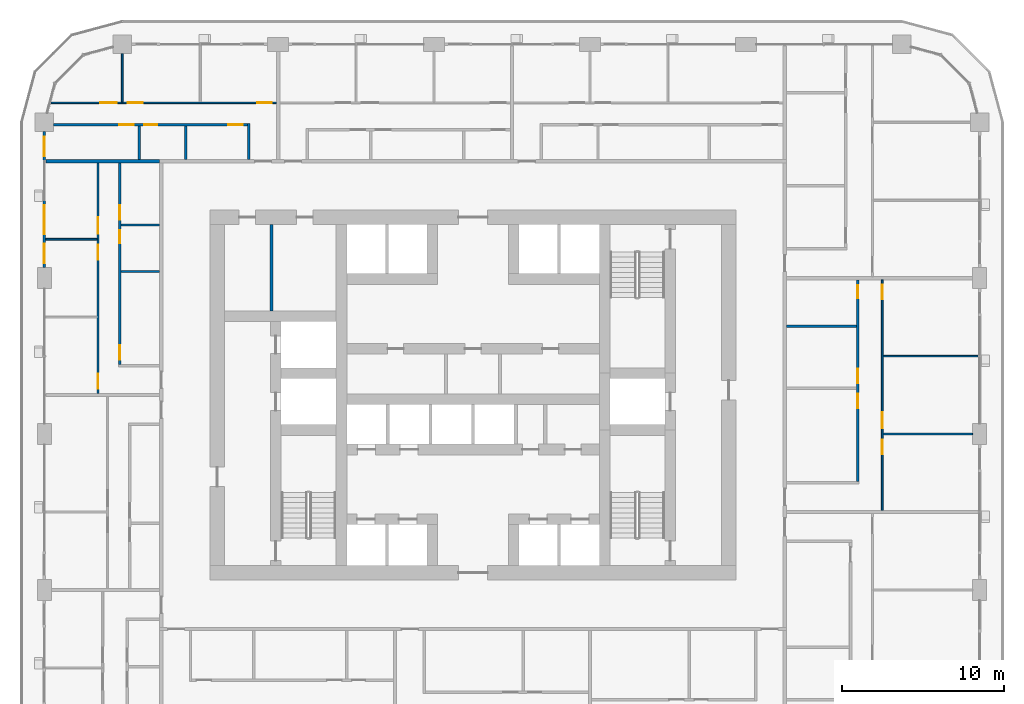
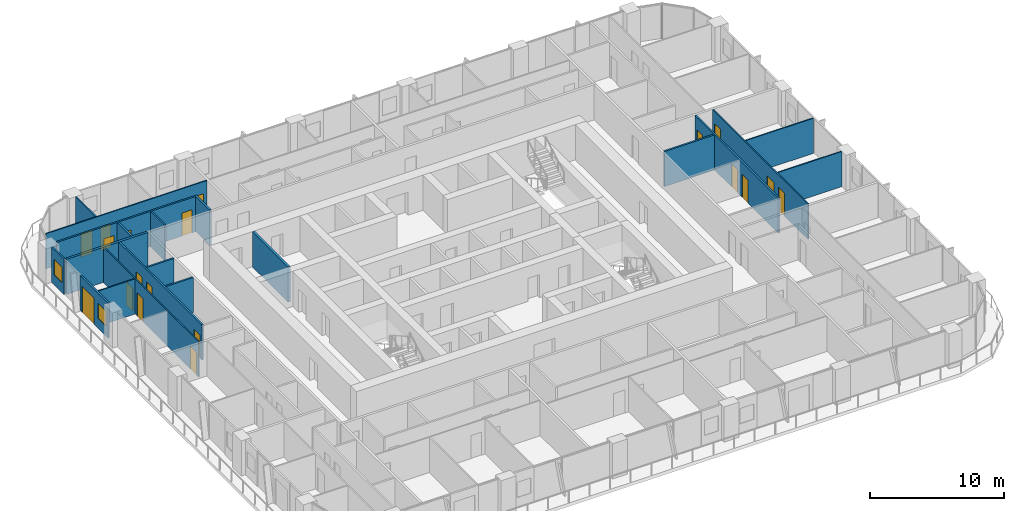
# One storey, part 13 of 22: 20 walls, 19 doors, 2 windows, 21 openings.
"""IFC4 building model written with IfcOpenShell, lengths in metres."""

import ifcopenshell
import ifcopenshell.guid

model = None  # the IFC model being written
_history = None  # IfcOwnerHistory: only IFC2X3 demands one
_inside = {}  # id of a spatial element -> (the spatial element, [elements in it])
_under = {}  # id of a project, library or spatial element -> (it, [spatial elements below it])
_declared = {}  # id of a project -> (the project, [libraries it declares])
_typed = {}  # id of a type object -> (the type object, [elements of that type])
_made_of = {}  # id of a material, layer set ... -> (it, [elements and type objects made of it])


def new_model(schema):
    """Start an empty IFC model of exactly this schema.

    Asked for "IFC4X3", IfcOpenShell would pick the latest addendum, in which some entities
    have other attributes; the version numbers below select the first issue.
    IFC2X3 requires an IfcOwnerHistory on every rooted entity: one is made here for all.
    """
    global model, _history
    if schema == "IFC4X3":
        model = ifcopenshell.file(schema_version=(4, 3, 0, 0))
    else:
        model = ifcopenshell.file(schema=schema)
    _inside.clear()
    _under.clear()
    _declared.clear()
    _typed.clear()
    _made_of.clear()
    _history = None
    if model.schema == "IFC2X3":
        org = make("IfcOrganization", Name="unknown")
        user = make(
            "IfcPersonAndOrganization",
            ThePerson=make("IfcPerson", FamilyName="unknown"),
            TheOrganization=org,
        )
        app = make(
            "IfcApplication",
            ApplicationDeveloper=org,
            Version="unknown",
            ApplicationFullName="unknown",
            ApplicationIdentifier="unknown",
        )
        _history = make(
            "IfcOwnerHistory",
            OwningUser=user,
            OwningApplication=app,
            ChangeAction="ADDED",
            CreationDate=0,
        )
    return model


def make(cls, **values):
    """One entity of the class cls with the attributes given. An attribute that is None is left unset."""
    return model.create_entity(
        cls, **{name: value for name, value in values.items() if value is not None}
    )


def rooted(cls, **values):
    """An entity with a GlobalId (a new one), such as an element, a storey or a relation."""
    return make(cls, GlobalId=ifcopenshell.guid.new(), OwnerHistory=_history, **values)


def si_unit(unit_type, name, prefix=None):
    """IfcSIUnit, for example si_unit("LENGTHUNIT", "METRE", prefix="MILLI")."""
    return make("IfcSIUnit", UnitType=unit_type, Prefix=prefix, Name=name)


def assignment(units):
    """IfcUnitAssignment: the units of a project."""
    return None if units is None else make("IfcUnitAssignment", Units=units)


def point(xyz):
    """IfcCartesianPoint."""
    return None if xyz is None else make("IfcCartesianPoint", Coordinates=xyz)


def direction(xyz):
    """IfcDirection."""
    return None if xyz is None else make("IfcDirection", DirectionRatios=xyz)


def frame(location, z_axis=None, x_axis=None):
    """IfcAxis2Placement3D, a coordinate frame: its origin and axes. An axis left out is left unset."""
    return make(
        "IfcAxis2Placement3D",
        Location=point(location),
        Axis=direction(z_axis),
        RefDirection=direction(x_axis),
    )


def frame_2d(location, x_axis=None):
    """IfcAxis2Placement2D, a coordinate frame in the plane: its origin and x axis."""
    return make(
        "IfcAxis2Placement2D", Location=point(location), RefDirection=direction(x_axis)
    )


def origin():
    """The frame at (0, 0, 0) with its axes left unset."""
    return frame((0.0, 0.0, 0.0))


def place(relative_to, where):
    """IfcLocalPlacement: puts the frame where relative to a parent placement (None: the world)."""
    return make(
        "IfcLocalPlacement", PlacementRelTo=relative_to, RelativePlacement=where
    )


def context(
    kind, dimensions, precision=None, world=None, true_north=None, identifier=None
):
    """IfcGeometricRepresentationContext, for example the 3D "Model" context."""
    return make(
        "IfcGeometricRepresentationContext",
        ContextIdentifier=identifier,
        ContextType=kind,
        CoordinateSpaceDimension=dimensions,
        Precision=precision,
        WorldCoordinateSystem=world,
        TrueNorth=true_north,
    )


def subcontext(parent, identifier, kind, view, scale=None):
    """IfcGeometricRepresentationSubContext, for example "Body" below "Model"."""
    return make(
        "IfcGeometricRepresentationSubContext",
        ContextIdentifier=identifier,
        ContextType=kind,
        ParentContext=parent,
        TargetScale=scale,
        TargetView=view,
    )


def project(units=None, contexts=None):
    """IfcProject with its units and contexts."""
    return rooted(
        "IfcProject",
        Name="project",
        RepresentationContexts=contexts,
        UnitsInContext=assignment(units),
    )


def spatial(cls, under=None, at=None, **own):
    """A site, building, storey or space (cls), placed at a placement, below another one or the project."""
    s = rooted(cls, ObjectPlacement=at, **own)
    if under is not None:
        _under.setdefault(under.id(), (under, []))[1].append(s)
    return s


def profile(cls, at=None, kind="AREA", **sizes):
    """A parametric profile (cls). Its sizes go by their IFC names, for example OverallWidth=200.0."""
    return make(cls, ProfileType=kind, Position=at, **sizes)


def rectangle(**sizes):
    """IfcRectangleProfileDef."""
    return profile("IfcRectangleProfileDef", **sizes)


def extrude(swept, where, along, depth):
    """IfcExtrudedAreaSolid: the profile swept, set in the frame where, extruded along a direction by depth."""
    return make(
        "IfcExtrudedAreaSolid",
        SweptArea=swept,
        Position=where,
        ExtrudedDirection=direction(along),
        Depth=depth,
    )


def shape(context_of_items, identifier, shape_type, items):
    """IfcShapeRepresentation: the items that make up one representation, for example the "Body"."""
    return make(
        "IfcShapeRepresentation",
        ContextOfItems=context_of_items,
        RepresentationIdentifier=identifier,
        RepresentationType=shape_type,
        Items=items,
    )


def material(Name=None, Category=None):
    """IfcMaterial."""
    return make("IfcMaterial", Name=Name, Category=Category)


def layer(
    of_material, thickness, ventilated=None, Name=None, Category=None, Priority=None
):
    """IfcMaterialLayer: one layer of a wall or slab, of a material (None: an air gap)."""
    return make(
        "IfcMaterialLayer",
        Material=of_material,
        LayerThickness=thickness,
        IsVentilated=ventilated,
        Name=Name,
        Category=Category,
        Priority=Priority,
    )


def layer_set(layers, Name=None):
    """IfcMaterialLayerSet."""
    return make("IfcMaterialLayerSet", MaterialLayers=layers, LayerSetName=Name)


def made_of(thing, what):
    """Note that an element or type object is made of a material, layer set ...; save() writes the relation."""
    if what is not None:
        _made_of.setdefault(what.id(), (what, []))[1].append(thing)
    return thing


def type_object(cls, material=None, **own):
    """A type object (cls), such as IfcWallType, which elements share."""
    return made_of(rooted(cls, **own), material)


def element(
    cls,
    number,
    at=None,
    inside=None,
    cuts=None,
    type_object=None,
    material=None,
    context=None,
    identifier="Body",
    shape_type=None,
    held_by="IfcProductDefinitionShape",
    body=None,
    shapes=None,
    **own,
):
    """One element of the class cls, such as IfcWall. Its Tag is "e" and its number.

    at: its placement. inside: the storey or other place that contains it. cuts: it is an
    opening in that element (IfcRelVoidsElement). A single representation is given by context,
    identifier, shape_type and body (its items); several are given by shapes. held_by: the class
    of the entity that holds the representations. save() writes the other relations.
    """
    e = rooted(cls, Tag="e%d" % number, ObjectPlacement=at, **own)
    if body is not None:
        shapes = [shape(context, identifier, shape_type, body)]
    if shapes is not None:
        e.Representation = make(held_by, Representations=shapes)
    if inside is not None:
        _inside.setdefault(inside.id(), (inside, []))[1].append(e)
    if cuts is not None:
        rooted(
            "IfcRelVoidsElement", RelatingBuildingElement=cuts, RelatedOpeningElement=e
        )
    if type_object is not None:
        _typed.setdefault(type_object.id(), (type_object, []))[1].append(e)
    return made_of(e, material)


def fill(opening, filler):
    """IfcRelFillsElement: the door or window that sits in an opening."""
    return rooted(
        "IfcRelFillsElement",
        RelatingOpeningElement=opening,
        RelatedBuildingElement=filler,
    )


def aggregate(whole, parts):
    """IfcRelAggregates: a whole, such as a stair, and the parts it consists of."""
    return rooted("IfcRelAggregates", RelatingObject=whole, RelatedObjects=parts)


def save(model, path):
    """Write the relations noted so far, then the file.

    IfcRelAggregates (storeys below a building ...), IfcRelContainedInSpatialStructure (elements
    in a storey), IfcRelDefinesByType, IfcRelAssociatesMaterial and IfcRelDeclares: one each for
    every whole, place, type object, material and project.
    """
    for whole, parts in _under.values():
        aggregate(whole, parts)
    for where, things in _inside.values():
        rooted(
            "IfcRelContainedInSpatialStructure",
            RelatedElements=things,
            RelatingStructure=where,
        )
    for kind, things in _typed.values():
        rooted("IfcRelDefinesByType", RelatedObjects=things, RelatingType=kind)
    for what, things in _made_of.values():
        rooted("IfcRelAssociatesMaterial", RelatedObjects=things, RelatingMaterial=what)
    for by, libraries in _declared.values():
        rooted("IfcRelDeclares", RelatingContext=by, RelatedDefinitions=libraries)
    model.write(path)


model = new_model("IFC4")

# Units and contexts
model_context = context("Model", 3, precision=1e-05, world=origin(), true_north=direction((0.0, 1.0)))
body_context = subcontext(model_context, "Body", "Model", "MODEL_VIEW")
ifc_project = project(units=[si_unit("LENGTHUNIT", "METRE"), si_unit("AREAUNIT", "SQUARE_METRE"), si_unit("VOLUMEUNIT", "CUBIC_METRE"), si_unit("PLANEANGLEUNIT", "RADIAN"), si_unit("MASSUNIT", "GRAM", prefix="KILO")], contexts=[model_context])

# Site, building, storey
site_placement = place(None, origin())
site = spatial("IfcSite", under=ifc_project, at=site_placement, CompositionType="ELEMENT")
building_placement = place(site_placement, origin())
building = spatial("IfcBuilding", under=site, at=building_placement, Name="Madar Terraces", CompositionType="ELEMENT")
storey_placement = place(building_placement, frame((0.0, 0.0, 76.800048828125)))
storey = spatial("IfcBuildingStorey", under=building, at=storey_placement, Name="L19", CompositionType="ELEMENT", Elevation=76.800048828125)

# Wall
ifc_material_1 = material(Name="Masonry blockwork", Category="masonry")
ifc_layer_1 = layer(ifc_material_1, 0.199951171875)
ifc_layer_set_1 = layer_set([ifc_layer_1], Name="Core partition 200 blockwork")
wall_type_1 = type_object("IfcWallType", Name="Core partition 200 blockwork", PredefinedType="PARTITIONING", material=ifc_layer_set_1)
wall_1_placement = place(storey_placement, frame((18.78759765625, 31.574951171875, 0.0), z_axis=(0.0, 0.0, 1.0), x_axis=(0.0, 1.0, 0.0)))
element("IfcWall", 1, at=wall_1_placement, inside=storey, type_object=wall_type_1, Name="SERVICE ROOM PARTITION", PredefinedType="PARTITIONING", context=body_context, shape_type="SweptSolid", body=[
    extrude(rectangle(XDim=5.324951171875, YDim=0.199951171875, at=frame_2d((2.66259765625, 0.0))), origin(), (0.0, 0.0, 1.0), 3.199951171875),
])

# Wall, opening, window
ifc_material_2 = material(Name="Aluminium composite panel, black, over insulated backing", Category="aluminium")
ifc_layer_2 = layer(ifc_material_2, 0.14990234375)
ifc_layer_set_2 = layer_set([ifc_layer_2], Name="Facade bay panel 150")
wall_type_2 = type_object("IfcWallType", Name="Facade bay panel 150", PredefinedType="SOLIDWALL", material=ifc_layer_set_2)
wall_2_placement = place(storey_placement, frame((4.800048828125, 42.625, 0.0), z_axis=(0.0, 0.0, 1.0), x_axis=(0.0, -1.0, 0.0)))
wall_2 = element("IfcWall", 2, at=wall_2_placement, inside=storey, type_object=wall_type_2, Name="Facade bay panel", PredefinedType="SOLIDWALL", context=body_context, shape_type="SweptSolid", body=[
    extrude(rectangle(XDim=1.824951171875, YDim=0.14990234375, at=frame_2d((0.91259765625, 0.0))), origin(), (0.0, 0.0, 1.0), 3.199951171875),
])
opening_1_placement = place(wall_2_placement, frame((0.3125, 0.0, 0.89990234375)))
opening_1 = element("IfcOpeningElement", 3, at=opening_1_placement, cuts=wall_2, Name="Opening W1", PredefinedType="OPENING", context=body_context, shape_type="SweptSolid", body=[
    extrude(rectangle(XDim=1.199951171875, YDim=1.39990234375, at=frame_2d((0.60009765625, 0.699951171875))), frame((0.0, 0.0849609375, 0.0), z_axis=(0.0, -1.0, 0.0), x_axis=(1.0, 0.0, 0.0)), (0.0, 0.0, 1.0), 0.169921875),
])
ifc_material_3 = material(Name="Glass, clear, with black aluminium frame", Category="aluminium")
window_type = type_object("IfcWindowType", Name="Vent window 1200 x 1400", PartitioningType="SINGLE_PANEL", PredefinedType="WINDOW", material=ifc_material_3)
window_1_placement = place(opening_1_placement, origin())
window_1 = element("IfcWindow", 4, at=window_1_placement, inside=storey, type_object=window_type, Name="Operable vent window", OverallHeight=1.39990234375, OverallWidth=1.199951171875, PartitioningType="SINGLE_PANEL", PredefinedType="WINDOW", context=body_context, shape_type="SweptSolid", body=[
    extrude(rectangle(XDim=1.199951171875, YDim=1.39990234375, at=frame_2d((0.60009765625, 0.699951171875))), frame((0.0, 0.030029296875, 0.0), z_axis=(0.0, -1.0, 0.0), x_axis=(1.0, 0.0, 0.0)), (0.0, 0.0, 1.0), 0.06005859375),
])
fill(opening_1, window_1)

# Wall, openings, door, window
wall_3_placement = place(storey_placement, frame((4.800048828125, 38.39990234375, 0.0), z_axis=(0.0, 0.0, 1.0), x_axis=(0.0, -1.0, 0.0)))
wall_3 = element("IfcWall", 5, at=wall_3_placement, inside=storey, type_object=wall_type_2, Name="Facade bay panel", PredefinedType="SOLIDWALL", context=body_context, shape_type="SweptSolid", body=[
    extrude(rectangle(XDim=4.14990234375, YDim=0.14990234375, at=frame_2d((2.074951171875, 0.0))), origin(), (0.0, 0.0, 1.0), 3.199951171875),
])
opening_2_placement = place(wall_3_placement, frame((0.300048828125, 0.0, 0.0)))
opening_2 = element("IfcOpeningElement", 6, at=opening_2_placement, cuts=wall_3, Name="Opening ED1", PredefinedType="OPENING", context=body_context, shape_type="SweptSolid", body=[
    extrude(rectangle(XDim=1.800048828125, YDim=2.39990234375, at=frame_2d((0.89990234375, 1.199951171875))), frame((0.0, 0.0849609375, 0.0), z_axis=(0.0, -1.0, 0.0), x_axis=(1.0, 0.0, 0.0)), (0.0, 0.0, 1.0), 0.169921875),
])
opening_3_placement = place(wall_3_placement, frame((2.675048828125, 0.0, 0.89990234375)))
opening_3 = element("IfcOpeningElement", 7, at=opening_3_placement, cuts=wall_3, Name="Opening W1", PredefinedType="OPENING", context=body_context, shape_type="SweptSolid", body=[
    extrude(rectangle(XDim=1.199951171875, YDim=1.39990234375, at=frame_2d((0.60009765625, 0.699951171875))), frame((0.0, 0.0849609375, 0.0), z_axis=(0.0, -1.0, 0.0), x_axis=(1.0, 0.0, 0.0)), (0.0, 0.0, 1.0), 0.169921875),
])
ifc_material_4 = material(Name="Glass, clear, with black aluminium frame", Category="aluminium")
door_type_1 = type_object("IfcDoorType", Name="Balcony and terrace sliding door 1800 x 2400", OperationType="SLIDING_TO_LEFT", PredefinedType="DOOR", material=ifc_material_4)
door_1_placement = place(opening_2_placement, origin())
door_1 = element("IfcDoor", 8, at=door_1_placement, inside=storey, type_object=door_type_1, Name="Balcony door", OperationType="SLIDING_TO_RIGHT", OverallHeight=2.39990234375, OverallWidth=1.800048828125, PredefinedType="DOOR", context=body_context, shape_type="SweptSolid", body=[
    extrude(rectangle(XDim=1.800048828125, YDim=2.39990234375, at=frame_2d((0.89990234375, 1.199951171875))), frame((0.0, 0.02490234375, 0.0), z_axis=(0.0, -1.0, 0.0), x_axis=(1.0, 0.0, 0.0)), (0.0, 0.0, 1.0), 0.050048828125),
])
fill(opening_2, door_1)
window_2_placement = place(opening_3_placement, origin())
window_2 = element("IfcWindow", 9, at=window_2_placement, inside=storey, type_object=window_type, Name="Operable vent window", OverallHeight=1.39990234375, OverallWidth=1.199951171875, PartitioningType="SINGLE_PANEL", PredefinedType="WINDOW", context=body_context, shape_type="SweptSolid", body=[
    extrude(rectangle(XDim=1.199951171875, YDim=1.39990234375, at=frame_2d((0.60009765625, 0.699951171875))), frame((0.0, 0.030029296875, 0.0), z_axis=(0.0, -1.0, 0.0), x_axis=(1.0, 0.0, 0.0)), (0.0, 0.0, 1.0), 0.06005859375),
])
fill(opening_3, window_2)

# Walls
ifc_material_5 = material(Name="Gypsum board on steel studs", Category="steel")
ifc_layer_3 = layer(ifc_material_5, 0.10009765625)
ifc_layer_set_3 = layer_set([ifc_layer_3], Name="Flat partition 100")
wall_type_3 = type_object("IfcWallType", Name="Flat partition 100", PredefinedType="PARTITIONING", material=ifc_layer_set_3)
wall_4_placement = place(storey_placement, frame((56.449951171875, 24.0, 0.0), z_axis=(0.0, 0.0, 1.0), x_axis=(1.0, 0.0, 0.0)))
element("IfcWall", 10, at=wall_4_placement, inside=storey, type_object=wall_type_3, Name="Flat partition 100", PredefinedType="PARTITIONING", context=body_context, shape_type="SweptSolid", body=[
    extrude(rectangle(XDim=5.525146484375, YDim=0.10009765625, at=frame_2d((2.7626953125, 0.0))), origin(), (0.0, 0.0, 1.0), 3.199951171875),
])
wall_5_placement = place(storey_placement, frame((56.449951171875, 28.800048828125, 0.0), z_axis=(0.0, 0.0, 1.0), x_axis=(1.0, 0.0, 0.0)))
element("IfcWall", 11, at=wall_5_placement, inside=storey, type_object=wall_type_3, Name="Flat partition 100", PredefinedType="PARTITIONING", context=body_context, shape_type="SweptSolid", body=[
    extrude(rectangle(XDim=5.85009765625, YDim=0.10009765625, at=frame_2d((2.925048828125, 0.0))), origin(), (0.0, 0.0, 1.0), 3.199951171875),
])

# Wall, openings, doors
wall_6_placement = place(storey_placement, frame((56.39990234375, 33.5, 0.0), z_axis=(0.0, 0.0, 1.0), x_axis=(0.0, -1.0, 0.0)))
wall_6 = element("IfcWall", 12, at=wall_6_placement, inside=storey, type_object=wall_type_3, Name="Flat partition 100", PredefinedType="PARTITIONING", context=body_context, shape_type="SweptSolid", body=[
    extrude(rectangle(XDim=14.199951171875, YDim=0.10009765625, at=frame_2d((7.10009765625, 0.0))), origin(), (0.0, 0.0, 1.0), 3.199951171875),
])
opening_4_placement = place(wall_6_placement, frame((9.85009765625, 0.0, 0.0)))
opening_4 = element("IfcOpeningElement", 13, at=opening_4_placement, cuts=wall_6, Name="Opening D2", PredefinedType="OPENING", context=body_context, shape_type="SweptSolid", body=[
    extrude(rectangle(XDim=0.89990234375, YDim=2.10009765625, at=frame_2d((0.449951171875, 1.050048828125))), frame((0.0, 0.06005859375, 0.0), z_axis=(0.0, -1.0, 0.0), x_axis=(1.0, 0.0, 0.0)), (0.0, 0.0, 1.0), 0.1201171875),
])
opening_5_placement = place(wall_6_placement, frame((8.14990234375, 0.0, 0.0)))
opening_5 = element("IfcOpeningElement", 14, at=opening_5_placement, cuts=wall_6, Name="Opening D3", PredefinedType="OPENING", context=body_context, shape_type="SweptSolid", body=[
    extrude(rectangle(XDim=1.0, YDim=2.10009765625, at=frame_2d((0.5, 1.050048828125))), frame((0.0, 0.06005859375, 0.0), z_axis=(0.0, -1.0, 0.0), x_axis=(1.0, 0.0, 0.0)), (0.0, 0.0, 1.0), 0.1201171875),
])
opening_6_placement = place(wall_6_placement, frame((0.300048828125, 0.0, 0.0)))
opening_6 = element("IfcOpeningElement", 15, at=opening_6_placement, cuts=wall_6, Name="Opening D2", PredefinedType="OPENING", context=body_context, shape_type="SweptSolid", body=[
    extrude(rectangle(XDim=0.89990234375, YDim=2.10009765625, at=frame_2d((0.449951171875, 1.050048828125))), frame((0.0, 0.06005859375, 0.0), z_axis=(0.0, -1.0, 0.0), x_axis=(1.0, 0.0, 0.0)), (0.0, 0.0, 1.0), 0.1201171875),
])
ifc_material_6 = material(Name="Timber door leaf", Category="wood")
door_type_2 = type_object("IfcDoorType", Name="Flat living room door 1000", OperationType="NOTDEFINED", PredefinedType="DOOR", material=ifc_material_6)
door_2_placement = place(opening_5_placement, origin())
door_2 = element("IfcDoor", 16, at=door_2_placement, inside=storey, type_object=door_type_2, Name="Flat living room door 1000", OperationType="SINGLE_SWING_RIGHT", OverallHeight=2.10009765625, OverallWidth=1.0, PredefinedType="DOOR", context=body_context, shape_type="SweptSolid", body=[
    extrude(rectangle(XDim=1.0, YDim=2.10009765625, at=frame_2d((0.5, 1.050048828125))), frame((0.0, 0.02490234375, 0.0), z_axis=(0.0, -1.0, 0.0), x_axis=(1.0, 0.0, 0.0)), (0.0, 0.0, 1.0), 0.050048828125),
])
fill(opening_5, door_2)
ifc_material_7 = material(Name="Timber door leaf", Category="wood")
door_type_3 = type_object("IfcDoorType", Name="Flat room door 900", OperationType="NOTDEFINED", PredefinedType="DOOR", material=ifc_material_7)
door_3_placement = place(opening_4_placement, origin())
door_3 = element("IfcDoor", 17, at=door_3_placement, inside=storey, type_object=door_type_3, Name="Flat room door 900", OperationType="SINGLE_SWING_LEFT", OverallHeight=2.10009765625, OverallWidth=0.89990234375, PredefinedType="DOOR", context=body_context, shape_type="SweptSolid", body=[
    extrude(rectangle(XDim=0.89990234375, YDim=2.10009765625, at=frame_2d((0.449951171875, 1.050048828125))), frame((0.0, 0.02490234375, 0.0), z_axis=(0.0, -1.0, 0.0), x_axis=(1.0, 0.0, 0.0)), (0.0, 0.0, 1.0), 0.050048828125),
])
fill(opening_4, door_3)
door_4_placement = place(opening_6_placement, origin())
door_4 = element("IfcDoor", 18, at=door_4_placement, inside=storey, type_object=door_type_3, Name="Flat room door 900", OperationType="SINGLE_SWING_LEFT", OverallHeight=2.10009765625, OverallWidth=0.89990234375, PredefinedType="DOOR", context=body_context, shape_type="SweptSolid", body=[
    extrude(rectangle(XDim=0.89990234375, YDim=2.10009765625, at=frame_2d((0.449951171875, 1.050048828125))), frame((0.0, 0.02490234375, 0.0), z_axis=(0.0, -1.0, 0.0), x_axis=(1.0, 0.0, 0.0)), (0.0, 0.0, 1.0), 0.050048828125),
])
fill(opening_6, door_4)

# Wall
wall_7_placement = place(storey_placement, frame((9.60009765625, 44.449951171875, 0.0), z_axis=(0.0, 0.0, 1.0), x_axis=(0.0, 1.0, 0.0)))
element("IfcWall", 19, at=wall_7_placement, inside=storey, type_object=wall_type_3, Name="Flat partition 100", PredefinedType="PARTITIONING", context=body_context, shape_type="SweptSolid", body=[
    extrude(rectangle(XDim=2.97509765625, YDim=0.10009765625, at=frame_2d((1.487548828125, 0.0))), origin(), (0.0, 0.0, 1.0), 3.199951171875),
])

# Wall, openings, doors
wall_8_placement = place(storey_placement, frame((5.221435546875, 44.39990234375, 0.0), z_axis=(0.0, 0.0, 1.0), x_axis=(1.0, 0.0, 0.0)))
wall_8 = element("IfcWall", 20, at=wall_8_placement, inside=storey, type_object=wall_type_3, Name="Flat partition 100", PredefinedType="PARTITIONING", context=body_context, shape_type="SweptSolid", body=[
    extrude(rectangle(XDim=13.878662109375, YDim=0.10009765625, at=frame_2d((6.939453125, 0.0))), origin(), (0.0, 0.0, 1.0), 3.199951171875),
])
opening_7_placement = place(wall_8_placement, frame((12.678466796875, 0.0, 0.0)))
opening_7 = element("IfcOpeningElement", 21, at=opening_7_placement, cuts=wall_8, Name="Opening D2", PredefinedType="OPENING", context=body_context, shape_type="SweptSolid", body=[
    extrude(rectangle(XDim=0.89990234375, YDim=2.10009765625, at=frame_2d((0.449951171875, 1.050048828125))), frame((0.0, 0.06005859375, 0.0), z_axis=(0.0, -1.0, 0.0), x_axis=(1.0, 0.0, 0.0)), (0.0, 0.0, 1.0), 0.1201171875),
])
opening_8_placement = place(wall_8_placement, frame((4.728515625, 0.0, 0.0)))
opening_8 = element("IfcOpeningElement", 22, at=opening_8_placement, cuts=wall_8, Name="Opening D2", PredefinedType="OPENING", context=body_context, shape_type="SweptSolid", body=[
    extrude(rectangle(XDim=0.89990234375, YDim=2.10009765625, at=frame_2d((0.449951171875, 1.050048828125))), frame((0.0, 0.06005859375, 0.0), z_axis=(0.0, -1.0, 0.0), x_axis=(1.0, 0.0, 0.0)), (0.0, 0.0, 1.0), 0.1201171875),
])
opening_9_placement = place(wall_8_placement, frame((3.028564453125, 0.0, 0.0)))
opening_9 = element("IfcOpeningElement", 23, at=opening_9_placement, cuts=wall_8, Name="Opening D3", PredefinedType="OPENING", context=body_context, shape_type="SweptSolid", body=[
    extrude(rectangle(XDim=1.0, YDim=2.10009765625, at=frame_2d((0.5, 1.050048828125))), frame((0.0, 0.06005859375, 0.0), z_axis=(0.0, -1.0, 0.0), x_axis=(1.0, 0.0, 0.0)), (0.0, 0.0, 1.0), 0.1201171875),
])
door_5_placement = place(opening_9_placement, origin())
door_5 = element("IfcDoor", 24, at=door_5_placement, inside=storey, type_object=door_type_2, Name="Flat living room door 1000", OperationType="SINGLE_SWING_RIGHT", OverallHeight=2.10009765625, OverallWidth=1.0, PredefinedType="DOOR", context=body_context, shape_type="SweptSolid", body=[
    extrude(rectangle(XDim=1.0, YDim=2.10009765625, at=frame_2d((0.5, 1.050048828125))), frame((0.0, 0.02490234375, 0.0), z_axis=(0.0, -1.0, 0.0), x_axis=(1.0, 0.0, 0.0)), (0.0, 0.0, 1.0), 0.050048828125),
])
fill(opening_9, door_5)
door_6_placement = place(opening_7_placement, origin())
door_6 = element("IfcDoor", 25, at=door_6_placement, inside=storey, type_object=door_type_3, Name="Flat room door 900", OperationType="SINGLE_SWING_RIGHT", OverallHeight=2.10009765625, OverallWidth=0.89990234375, PredefinedType="DOOR", context=body_context, shape_type="SweptSolid", body=[
    extrude(rectangle(XDim=0.89990234375, YDim=2.10009765625, at=frame_2d((0.449951171875, 1.050048828125))), frame((0.0, 0.02490234375, 0.0), z_axis=(0.0, -1.0, 0.0), x_axis=(1.0, 0.0, 0.0)), (0.0, 0.0, 1.0), 0.050048828125),
])
fill(opening_7, door_6)
door_7_placement = place(opening_8_placement, origin())
door_7 = element("IfcDoor", 26, at=door_7_placement, inside=storey, type_object=door_type_3, Name="Flat room door 900", OperationType="SINGLE_SWING_LEFT", OverallHeight=2.10009765625, OverallWidth=0.89990234375, PredefinedType="DOOR", context=body_context, shape_type="SweptSolid", body=[
    extrude(rectangle(XDim=0.89990234375, YDim=2.10009765625, at=frame_2d((0.449951171875, 1.050048828125))), frame((0.0, 0.02490234375, 0.0), z_axis=(0.0, -1.0, 0.0), x_axis=(1.0, 0.0, 0.0)), (0.0, 0.0, 1.0), 0.050048828125),
])
fill(opening_8, door_7)

# Wall
wall_9_placement = place(storey_placement, frame((8.050048828125, 36.0, 0.0), z_axis=(0.0, 0.0, 1.0), x_axis=(-1.0, 0.0, 0.0)))
element("IfcWall", 27, at=wall_9_placement, inside=storey, type_object=wall_type_3, Name="Flat partition 100", PredefinedType="PARTITIONING", context=body_context, shape_type="SweptSolid", body=[
    extrude(rectangle(XDim=3.150146484375, YDim=0.10009765625, at=frame_2d((1.5751953125, 0.0))), origin(), (0.0, 0.0, 1.0), 3.199951171875),
])

# Wall, openings, doors
wall_10_placement = place(storey_placement, frame((8.10009765625, 26.5, 0.0), z_axis=(0.0, 0.0, 1.0), x_axis=(0.0, 1.0, 0.0)))
wall_10 = element("IfcWall", 28, at=wall_10_placement, inside=storey, type_object=wall_type_3, Name="Flat partition 100", PredefinedType="PARTITIONING", context=body_context, shape_type="SweptSolid", body=[
    extrude(rectangle(XDim=14.199951171875, YDim=0.10009765625, at=frame_2d((7.10009765625, 0.0))), origin(), (0.0, 0.0, 1.0), 3.199951171875),
])
opening_10_placement = place(wall_10_placement, frame((0.300048828125, 0.0, 0.0)))
opening_10 = element("IfcOpeningElement", 29, at=opening_10_placement, cuts=wall_10, Name="Opening D2", PredefinedType="OPENING", context=body_context, shape_type="SweptSolid", body=[
    extrude(rectangle(XDim=0.89990234375, YDim=2.10009765625, at=frame_2d((0.449951171875, 1.050048828125))), frame((0.0, 0.06005859375, 0.0), z_axis=(0.0, -1.0, 0.0), x_axis=(1.0, 0.0, 0.0)), (0.0, 0.0, 1.0), 0.1201171875),
])
opening_11_placement = place(wall_10_placement, frame((8.25, 0.0, 0.0)))
opening_11 = element("IfcOpeningElement", 30, at=opening_11_placement, cuts=wall_10, Name="Opening D2", PredefinedType="OPENING", context=body_context, shape_type="SweptSolid", body=[
    extrude(rectangle(XDim=0.89990234375, YDim=2.10009765625, at=frame_2d((0.449951171875, 1.050048828125))), frame((0.0, 0.06005859375, 0.0), z_axis=(0.0, -1.0, 0.0), x_axis=(1.0, 0.0, 0.0)), (0.0, 0.0, 1.0), 0.1201171875),
])
opening_12_placement = place(wall_10_placement, frame((9.85009765625, 0.0, 0.0)))
opening_12 = element("IfcOpeningElement", 31, at=opening_12_placement, cuts=wall_10, Name="Opening D3", PredefinedType="OPENING", context=body_context, shape_type="SweptSolid", body=[
    extrude(rectangle(XDim=1.0, YDim=2.10009765625, at=frame_2d((0.5, 1.050048828125))), frame((0.0, 0.06005859375, 0.0), z_axis=(0.0, -1.0, 0.0), x_axis=(1.0, 0.0, 0.0)), (0.0, 0.0, 1.0), 0.1201171875),
])
door_8_placement = place(opening_12_placement, origin())
door_8 = element("IfcDoor", 32, at=door_8_placement, inside=storey, type_object=door_type_2, Name="Flat living room door 1000", OperationType="SINGLE_SWING_LEFT", OverallHeight=2.10009765625, OverallWidth=1.0, PredefinedType="DOOR", context=body_context, shape_type="SweptSolid", body=[
    extrude(rectangle(XDim=1.0, YDim=2.10009765625, at=frame_2d((0.5, 1.050048828125))), frame((0.0, 0.02490234375, 0.0), z_axis=(0.0, -1.0, 0.0), x_axis=(1.0, 0.0, 0.0)), (0.0, 0.0, 1.0), 0.050048828125),
])
fill(opening_12, door_8)
door_9_placement = place(opening_10_placement, origin())
door_9 = element("IfcDoor", 33, at=door_9_placement, inside=storey, type_object=door_type_3, Name="Flat room door 900", OperationType="SINGLE_SWING_LEFT", OverallHeight=2.10009765625, OverallWidth=0.89990234375, PredefinedType="DOOR", context=body_context, shape_type="SweptSolid", body=[
    extrude(rectangle(XDim=0.89990234375, YDim=2.10009765625, at=frame_2d((0.449951171875, 1.050048828125))), frame((0.0, 0.02490234375, 0.0), z_axis=(0.0, -1.0, 0.0), x_axis=(1.0, 0.0, 0.0)), (0.0, 0.0, 1.0), 0.050048828125),
])
fill(opening_10, door_9)
door_10_placement = place(opening_11_placement, origin())
door_10 = element("IfcDoor", 34, at=door_10_placement, inside=storey, type_object=door_type_3, Name="Flat room door 900", OperationType="SINGLE_SWING_RIGHT", OverallHeight=2.10009765625, OverallWidth=0.89990234375, PredefinedType="DOOR", context=body_context, shape_type="SweptSolid", body=[
    extrude(rectangle(XDim=0.89990234375, YDim=2.10009765625, at=frame_2d((0.449951171875, 1.050048828125))), frame((0.0, 0.02490234375, 0.0), z_axis=(0.0, -1.0, 0.0), x_axis=(1.0, 0.0, 0.0)), (0.0, 0.0, 1.0), 0.050048828125),
])
fill(opening_11, door_10)

# Walls
ifc_material_8 = material(Name="Lightweight blockwork", Category="masonry")
ifc_layer_4 = layer(ifc_material_8, 0.199951171875)
ifc_layer_set_4 = layer_set([ifc_layer_4], Name="Flat party and entrance wall 200")
wall_type_4 = type_object("IfcWallType", Name="Flat party and entrance wall 200", PredefinedType="PARTITIONING", material=ifc_layer_set_4)
wall_11_placement = place(storey_placement, frame((4.89990234375, 40.800048828125, 0.0), z_axis=(0.0, 0.0, 1.0), x_axis=(1.0, 0.0, 0.0)))
element("IfcWall", 35, at=wall_11_placement, inside=storey, type_object=wall_type_4, Name="Flat party and entrance wall 200", PredefinedType="PARTITIONING", context=body_context, shape_type="SweptSolid", body=[
    extrude(rectangle(XDim=7.0, YDim=0.199951171875, at=frame_2d((3.5, 0.0))), origin(), (0.0, 0.0, 1.0), 3.199951171875),
])
ifc_material_9 = material(Name="Lightweight blockwork", Category="masonry")
ifc_layer_5 = layer(ifc_material_9, 0.14990234375)
ifc_layer_set_5 = layer_set([ifc_layer_5], Name="Flat wet-room partition 150")
wall_type_5 = type_object("IfcWallType", Name="Flat wet-room partition 150", PredefinedType="PARTITIONING", material=ifc_layer_set_5)
wall_12_placement = place(storey_placement, frame((50.5, 30.6328125, 0.0), z_axis=(0.0, 0.0, 1.0), x_axis=(1.0, 0.0, 0.0)))
element("IfcWall", 36, at=wall_12_placement, inside=storey, type_object=wall_type_5, Name="Flat wet-room partition 150", PredefinedType="PARTITIONING", context=body_context, shape_type="SweptSolid", body=[
    extrude(rectangle(XDim=4.324951171875, YDim=0.14990234375, at=frame_2d((2.16259765625, 0.0))), origin(), (0.0, 0.0, 1.0), 3.199951171875),
])

# Wall, openings, doors
wall_13_placement = place(storey_placement, frame((54.89990234375, 21.074951171875, 0.0), z_axis=(0.0, 0.0, 1.0), x_axis=(0.0, 1.0, 0.0)))
wall_13 = element("IfcWall", 37, at=wall_13_placement, inside=storey, type_object=wall_type_5, Name="Flat wet-room partition 150", PredefinedType="PARTITIONING", context=body_context, shape_type="SweptSolid", body=[
    extrude(rectangle(XDim=12.425048828125, YDim=0.14990234375, at=frame_2d((6.21240234375, 0.0))), origin(), (0.0, 0.0, 1.0), 3.199951171875),
])
opening_13_placement = place(wall_13_placement, frame((4.509521484375, 0.0, 0.0)))
opening_13 = element("IfcOpeningElement", 38, at=opening_13_placement, cuts=wall_13, Name="Opening D2", PredefinedType="OPENING", context=body_context, shape_type="SweptSolid", body=[
    extrude(rectangle(XDim=0.89990234375, YDim=2.10009765625, at=frame_2d((0.449951171875, 1.050048828125))), frame((0.0, 0.0849609375, 0.0), z_axis=(0.0, -1.0, 0.0), x_axis=(1.0, 0.0, 0.0)), (0.0, 0.0, 1.0), 0.169921875),
])
opening_14_placement = place(wall_13_placement, frame((6.0595703125, 0.0, 0.0)))
opening_14 = element("IfcOpeningElement", 39, at=opening_14_placement, cuts=wall_13, Name="Opening D5", PredefinedType="OPENING", context=body_context, shape_type="SweptSolid", body=[
    extrude(rectangle(XDim=0.89990234375, YDim=2.10009765625, at=frame_2d((0.449951171875, 1.050048828125))), frame((0.0, 0.0849609375, 0.0), z_axis=(0.0, -1.0, 0.0), x_axis=(1.0, 0.0, 0.0)), (0.0, 0.0, 1.0), 0.169921875),
])
opening_15_placement = place(wall_13_placement, frame((11.27490234375, 0.0, 0.0)))
opening_15 = element("IfcOpeningElement", 40, at=opening_15_placement, cuts=wall_13, Name="Opening D4", PredefinedType="OPENING", context=body_context, shape_type="SweptSolid", body=[
    extrude(rectangle(XDim=0.800048828125, YDim=2.10009765625, at=frame_2d((0.39990234375, 1.050048828125))), frame((0.0, 0.0849609375, 0.0), z_axis=(0.0, -1.0, 0.0), x_axis=(1.0, 0.0, 0.0)), (0.0, 0.0, 1.0), 0.169921875),
])
ifc_material_10 = material(Name="Timber door leaf", Category="wood")
door_type_4 = type_object("IfcDoorType", Name="Flat accessible bathroom door 900", OperationType="NOTDEFINED", PredefinedType="DOOR", material=ifc_material_10)
door_11_placement = place(opening_14_placement, origin())
door_11 = element("IfcDoor", 41, at=door_11_placement, inside=storey, type_object=door_type_4, Name="Flat accessible bathroom door 900", OperationType="SINGLE_SWING_LEFT", OverallHeight=2.10009765625, OverallWidth=0.89990234375, PredefinedType="DOOR", context=body_context, shape_type="SweptSolid", body=[
    extrude(rectangle(XDim=0.89990234375, YDim=2.10009765625, at=frame_2d((0.449951171875, 1.050048828125))), frame((0.0, 0.02490234375, 0.0), z_axis=(0.0, -1.0, 0.0), x_axis=(1.0, 0.0, 0.0)), (0.0, 0.0, 1.0), 0.050048828125),
])
fill(opening_14, door_11)
ifc_material_11 = material(Name="Timber door leaf", Category="wood")
door_type_5 = type_object("IfcDoorType", Name="Flat bathroom door 800", OperationType="NOTDEFINED", PredefinedType="DOOR", material=ifc_material_11)
door_12_placement = place(opening_15_placement, origin())
door_12 = element("IfcDoor", 42, at=door_12_placement, inside=storey, type_object=door_type_5, Name="Flat bathroom door 800", OperationType="SINGLE_SWING_RIGHT", OverallHeight=2.10009765625, OverallWidth=0.800048828125, PredefinedType="DOOR", context=body_context, shape_type="SweptSolid", body=[
    extrude(rectangle(XDim=0.800048828125, YDim=2.10009765625, at=frame_2d((0.39990234375, 1.050048828125))), frame((0.0, 0.02490234375, 0.0), z_axis=(0.0, -1.0, 0.0), x_axis=(1.0, 0.0, 0.0)), (0.0, 0.0, 1.0), 0.050048828125),
])
fill(opening_15, door_12)
door_13_placement = place(opening_13_placement, origin())
door_13 = element("IfcDoor", 43, at=door_13_placement, inside=storey, type_object=door_type_3, Name="Flat room door 900", OperationType="SINGLE_SWING_RIGHT", OverallHeight=2.10009765625, OverallWidth=0.89990234375, PredefinedType="DOOR", context=body_context, shape_type="SweptSolid", body=[
    extrude(rectangle(XDim=0.89990234375, YDim=2.10009765625, at=frame_2d((0.449951171875, 1.050048828125))), frame((0.0, 0.02490234375, 0.0), z_axis=(0.0, -1.0, 0.0), x_axis=(1.0, 0.0, 0.0)), (0.0, 0.0, 1.0), 0.050048828125),
])
fill(opening_13, door_13)

# Walls
for number, where, z_axis, x_axis, name in (
    (44, (13.501953125, 40.89990234375, 0.0), (0.0, 0.0, 1.0), (0.0, 1.0, 0.0), "Flat wet-room partition 150"),
    (45, (10.634521484375, 40.89990234375, 0.0), (0.0, 0.0, 1.0), (0.0, 1.0, 0.0), "Flat wet-room partition 150"),
):
    element("IfcWall", number, at=place(storey_placement, frame(where, z_axis=z_axis, x_axis=x_axis)), inside=storey, type_object=wall_type_5, Name=name, PredefinedType="PARTITIONING", context=body_context, shape_type="SweptSolid", body=[
        extrude(rectangle(XDim=2.0751953125, YDim=0.14990234375, at=frame_2d((1.03759765625, 0.0))), origin(), (0.0, 0.0, 1.0), 3.199951171875),
    ])
wall_14_placement = place(storey_placement, frame((17.39990234375, 40.89990234375, 0.0), z_axis=(0.0, 0.0, 1.0), x_axis=(0.0, 1.0, 0.0)))
element("IfcWall", 46, at=wall_14_placement, inside=storey, type_object=wall_type_5, Name="Flat wet-room partition 150", PredefinedType="PARTITIONING", context=body_context, shape_type="SweptSolid", body=[
    extrude(rectangle(XDim=2.22509765625, YDim=0.14990234375, at=frame_2d((1.112548828125, 0.0))), origin(), (0.0, 0.0, 1.0), 3.199951171875),
])

# Wall, openings, doors
wall_15_placement = place(storey_placement, frame((17.324951171875, 43.050048828125, 0.0), z_axis=(0.0, 0.0, 1.0), x_axis=(-1.0, 0.0, 0.0)))
wall_15 = element("IfcWall", 47, at=wall_15_placement, inside=storey, type_object=wall_type_5, Name="Flat wet-room partition 150", PredefinedType="PARTITIONING", context=body_context, shape_type="SweptSolid", body=[
    extrude(rectangle(XDim=11.949951171875, YDim=0.14990234375, at=frame_2d((5.97509765625, 0.0))), origin(), (0.0, 0.0, 1.0), 3.199951171875),
])
opening_16_placement = place(wall_15_placement, frame((0.300048828125, 0.0, 0.0)))
opening_16 = element("IfcOpeningElement", 48, at=opening_16_placement, cuts=wall_15, Name="Opening D5", PredefinedType="OPENING", context=body_context, shape_type="SweptSolid", body=[
    extrude(rectangle(XDim=0.89990234375, YDim=2.10009765625, at=frame_2d((0.449951171875, 1.050048828125))), frame((0.0, 0.0849609375, 0.0), z_axis=(0.0, -1.0, 0.0), x_axis=(1.0, 0.0, 0.0)), (0.0, 0.0, 1.0), 0.169921875),
])
opening_17_placement = place(wall_15_placement, frame((5.5654296875, 0.0, 0.0)))
opening_17 = element("IfcOpeningElement", 49, at=opening_17_placement, cuts=wall_15, Name="Opening D4", PredefinedType="OPENING", context=body_context, shape_type="SweptSolid", body=[
    extrude(rectangle(XDim=0.800048828125, YDim=2.10009765625, at=frame_2d((0.39990234375, 1.050048828125))), frame((0.0, 0.0849609375, 0.0), z_axis=(0.0, -1.0, 0.0), x_axis=(1.0, 0.0, 0.0)), (0.0, 0.0, 1.0), 0.169921875),
])
opening_18_placement = place(wall_15_placement, frame((7.015380859375, 0.0, 0.0)))
opening_18 = element("IfcOpeningElement", 50, at=opening_18_placement, cuts=wall_15, Name="Opening D2", PredefinedType="OPENING", context=body_context, shape_type="SweptSolid", body=[
    extrude(rectangle(XDim=0.89990234375, YDim=2.10009765625, at=frame_2d((0.449951171875, 1.050048828125))), frame((0.0, 0.0849609375, 0.0), z_axis=(0.0, -1.0, 0.0), x_axis=(1.0, 0.0, 0.0)), (0.0, 0.0, 1.0), 0.169921875),
])
door_14_placement = place(opening_16_placement, origin())
door_14 = element("IfcDoor", 51, at=door_14_placement, inside=storey, type_object=door_type_4, Name="Flat accessible bathroom door 900", OperationType="SINGLE_SWING_LEFT", OverallHeight=2.10009765625, OverallWidth=0.89990234375, PredefinedType="DOOR", context=body_context, shape_type="SweptSolid", body=[
    extrude(rectangle(XDim=0.89990234375, YDim=2.10009765625, at=frame_2d((0.449951171875, 1.050048828125))), frame((0.0, 0.02490234375, 0.0), z_axis=(0.0, -1.0, 0.0), x_axis=(1.0, 0.0, 0.0)), (0.0, 0.0, 1.0), 0.050048828125),
])
fill(opening_16, door_14)
door_15_placement = place(opening_17_placement, origin())
door_15 = element("IfcDoor", 52, at=door_15_placement, inside=storey, type_object=door_type_5, Name="Flat bathroom door 800", OperationType="SINGLE_SWING_RIGHT", OverallHeight=2.10009765625, OverallWidth=0.800048828125, PredefinedType="DOOR", context=body_context, shape_type="SweptSolid", body=[
    extrude(rectangle(XDim=0.800048828125, YDim=2.10009765625, at=frame_2d((0.39990234375, 1.050048828125))), frame((0.0, 0.02490234375, 0.0), z_axis=(0.0, -1.0, 0.0), x_axis=(1.0, 0.0, 0.0)), (0.0, 0.0, 1.0), 0.050048828125),
])
fill(opening_17, door_15)
door_16_placement = place(opening_18_placement, origin())
door_16 = element("IfcDoor", 53, at=door_16_placement, inside=storey, type_object=door_type_3, Name="Flat room door 900", OperationType="SINGLE_SWING_LEFT", OverallHeight=2.10009765625, OverallWidth=0.89990234375, PredefinedType="DOOR", context=body_context, shape_type="SweptSolid", body=[
    extrude(rectangle(XDim=0.89990234375, YDim=2.10009765625, at=frame_2d((0.449951171875, 1.050048828125))), frame((0.0, 0.02490234375, 0.0), z_axis=(0.0, -1.0, 0.0), x_axis=(1.0, 0.0, 0.0)), (0.0, 0.0, 1.0), 0.050048828125),
])
fill(opening_18, door_16)

# Walls
for number, where, z_axis, x_axis, name in (
    (54, (11.89990234375, 34.009521484375, 0.0), (0.0, 0.0, 1.0), (-1.0, 0.0, 0.0), "Flat wet-room partition 150"),
    (55, (11.89990234375, 36.876953125, 0.0), (0.0, 0.0, 1.0), (-1.0, 0.0, 0.0), "Flat wet-room partition 150"),
):
    element("IfcWall", number, at=place(storey_placement, frame(where, z_axis=z_axis, x_axis=x_axis)), inside=storey, type_object=wall_type_5, Name=name, PredefinedType="PARTITIONING", context=body_context, shape_type="SweptSolid", body=[
        extrude(rectangle(XDim=2.375, YDim=0.14990234375, at=frame_2d((1.1875, 0.0))), origin(), (0.0, 0.0, 1.0), 3.199951171875),
    ])

# Wall, openings, doors
wall_16_placement = place(storey_placement, frame((9.449951171875, 40.699951171875, 0.0), z_axis=(0.0, 0.0, 1.0), x_axis=(0.0, -1.0, 0.0)))
wall_16 = element("IfcWall", 56, at=wall_16_placement, inside=storey, type_object=wall_type_5, Name="Flat wet-room partition 150", PredefinedType="PARTITIONING", context=body_context, shape_type="SweptSolid", body=[
    extrude(rectangle(XDim=12.425048828125, YDim=0.14990234375, at=frame_2d((6.21240234375, 0.0))), origin(), (0.0, 0.0, 1.0), 3.199951171875),
])
opening_19_placement = place(wall_16_placement, frame((11.22509765625, 0.0, 0.0)))
opening_19 = element("IfcOpeningElement", 57, at=opening_19_placement, cuts=wall_16, Name="Opening D2", PredefinedType="OPENING", context=body_context, shape_type="SweptSolid", body=[
    extrude(rectangle(XDim=0.89990234375, YDim=2.10009765625, at=frame_2d((0.449951171875, 1.050048828125))), frame((0.0, 0.0849609375, 0.0), z_axis=(0.0, -1.0, 0.0), x_axis=(1.0, 0.0, 0.0)), (0.0, 0.0, 1.0), 0.169921875),
])
opening_20_placement = place(wall_16_placement, frame((4.148193359375, 0.0, 0.0)))
opening_20 = element("IfcOpeningElement", 58, at=opening_20_placement, cuts=wall_16, Name="Opening D4", PredefinedType="OPENING", context=body_context, shape_type="SweptSolid", body=[
    extrude(rectangle(XDim=0.800048828125, YDim=2.10009765625, at=frame_2d((0.39990234375, 1.050048828125))), frame((0.0, 0.0849609375, 0.0), z_axis=(0.0, -1.0, 0.0), x_axis=(1.0, 0.0, 0.0)), (0.0, 0.0, 1.0), 0.169921875),
])
opening_21_placement = place(wall_16_placement, frame((2.59814453125, 0.0, 0.0)))
opening_21 = element("IfcOpeningElement", 59, at=opening_21_placement, cuts=wall_16, Name="Opening D5", PredefinedType="OPENING", context=body_context, shape_type="SweptSolid", body=[
    extrude(rectangle(XDim=0.89990234375, YDim=2.10009765625, at=frame_2d((0.449951171875, 1.050048828125))), frame((0.0, 0.0849609375, 0.0), z_axis=(0.0, -1.0, 0.0), x_axis=(1.0, 0.0, 0.0)), (0.0, 0.0, 1.0), 0.169921875),
])
door_17_placement = place(opening_21_placement, origin())
door_17 = element("IfcDoor", 60, at=door_17_placement, inside=storey, type_object=door_type_4, Name="Flat accessible bathroom door 900", OperationType="SINGLE_SWING_RIGHT", OverallHeight=2.10009765625, OverallWidth=0.89990234375, PredefinedType="DOOR", context=body_context, shape_type="SweptSolid", body=[
    extrude(rectangle(XDim=0.89990234375, YDim=2.10009765625, at=frame_2d((0.449951171875, 1.050048828125))), frame((0.0, 0.02490234375, 0.0), z_axis=(0.0, -1.0, 0.0), x_axis=(1.0, 0.0, 0.0)), (0.0, 0.0, 1.0), 0.050048828125),
])
fill(opening_21, door_17)
door_18_placement = place(opening_20_placement, origin())
door_18 = element("IfcDoor", 61, at=door_18_placement, inside=storey, type_object=door_type_5, Name="Flat bathroom door 800", OperationType="SINGLE_SWING_LEFT", OverallHeight=2.10009765625, OverallWidth=0.800048828125, PredefinedType="DOOR", context=body_context, shape_type="SweptSolid", body=[
    extrude(rectangle(XDim=0.800048828125, YDim=2.10009765625, at=frame_2d((0.39990234375, 1.050048828125))), frame((0.0, 0.02490234375, 0.0), z_axis=(0.0, -1.0, 0.0), x_axis=(1.0, 0.0, 0.0)), (0.0, 0.0, 1.0), 0.050048828125),
])
fill(opening_20, door_18)
door_19_placement = place(opening_19_placement, origin())
door_19 = element("IfcDoor", 62, at=door_19_placement, inside=storey, type_object=door_type_3, Name="Flat room door 900", OperationType="SINGLE_SWING_RIGHT", OverallHeight=2.10009765625, OverallWidth=0.89990234375, PredefinedType="DOOR", context=body_context, shape_type="SweptSolid", body=[
    extrude(rectangle(XDim=0.89990234375, YDim=2.10009765625, at=frame_2d((0.449951171875, 1.050048828125))), frame((0.0, 0.02490234375, 0.0), z_axis=(0.0, -1.0, 0.0), x_axis=(1.0, 0.0, 0.0)), (0.0, 0.0, 1.0), 0.050048828125),
])
fill(opening_19, door_19)

save(model, "model.ifc")
